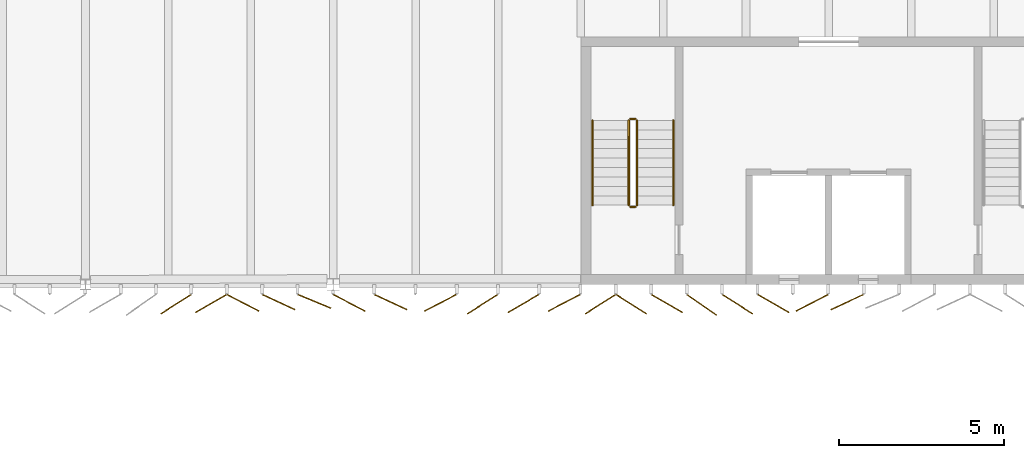
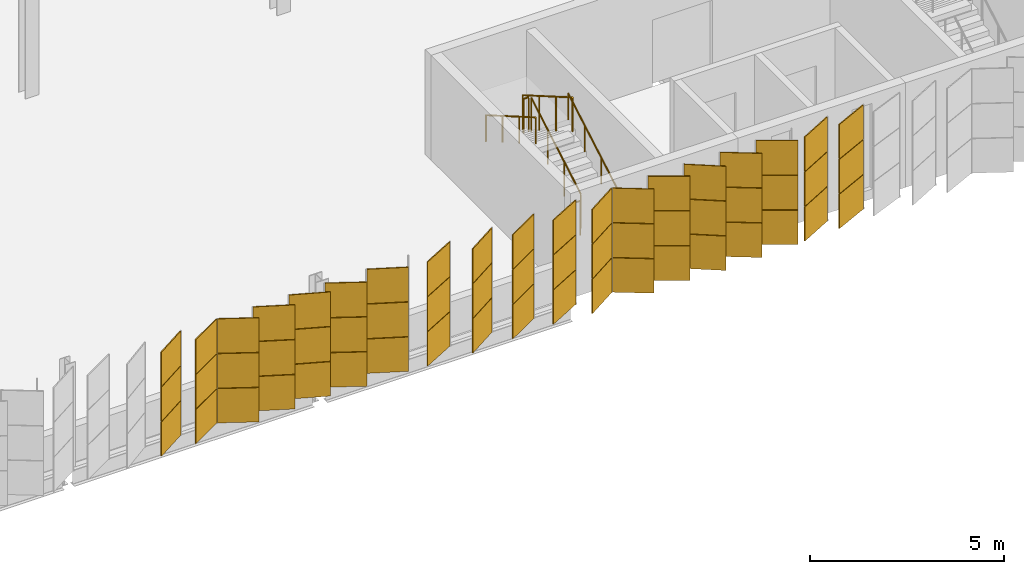
# One storey, part 200 of 214: 57 coverings, 6 railings.
"""IFC4 building model written with IfcOpenShell, lengths in metres."""

import ifcopenshell
import ifcopenshell.guid

model = None  # the IFC model being written
_history = None  # IfcOwnerHistory: only IFC2X3 demands one
_inside = {}  # id of a spatial element -> (the spatial element, [elements in it])
_under = {}  # id of a project, library or spatial element -> (it, [spatial elements below it])
_declared = {}  # id of a project -> (the project, [libraries it declares])
_typed = {}  # id of a type object -> (the type object, [elements of that type])
_made_of = {}  # id of a material, layer set ... -> (it, [elements and type objects made of it])


def new_model(schema):
    """Start an empty IFC model of exactly this schema.

    Asked for "IFC4X3", IfcOpenShell would pick the latest addendum, in which some entities
    have other attributes; the version numbers below select the first issue.
    IFC2X3 requires an IfcOwnerHistory on every rooted entity: one is made here for all.
    """
    global model, _history
    if schema == "IFC4X3":
        model = ifcopenshell.file(schema_version=(4, 3, 0, 0))
    else:
        model = ifcopenshell.file(schema=schema)
    _inside.clear()
    _under.clear()
    _declared.clear()
    _typed.clear()
    _made_of.clear()
    _history = None
    if model.schema == "IFC2X3":
        org = make("IfcOrganization", Name="unknown")
        user = make(
            "IfcPersonAndOrganization",
            ThePerson=make("IfcPerson", FamilyName="unknown"),
            TheOrganization=org,
        )
        app = make(
            "IfcApplication",
            ApplicationDeveloper=org,
            Version="unknown",
            ApplicationFullName="unknown",
            ApplicationIdentifier="unknown",
        )
        _history = make(
            "IfcOwnerHistory",
            OwningUser=user,
            OwningApplication=app,
            ChangeAction="ADDED",
            CreationDate=0,
        )
    return model


def make(cls, **values):
    """One entity of the class cls with the attributes given. An attribute that is None is left unset."""
    return model.create_entity(
        cls, **{name: value for name, value in values.items() if value is not None}
    )


def rooted(cls, **values):
    """An entity with a GlobalId (a new one), such as an element, a storey or a relation."""
    return make(cls, GlobalId=ifcopenshell.guid.new(), OwnerHistory=_history, **values)


def si_unit(unit_type, name, prefix=None):
    """IfcSIUnit, for example si_unit("LENGTHUNIT", "METRE", prefix="MILLI")."""
    return make("IfcSIUnit", UnitType=unit_type, Prefix=prefix, Name=name)


def assignment(units):
    """IfcUnitAssignment: the units of a project."""
    return None if units is None else make("IfcUnitAssignment", Units=units)


def point(xyz):
    """IfcCartesianPoint."""
    return None if xyz is None else make("IfcCartesianPoint", Coordinates=xyz)


def direction(xyz):
    """IfcDirection."""
    return None if xyz is None else make("IfcDirection", DirectionRatios=xyz)


def frame(location, z_axis=None, x_axis=None):
    """IfcAxis2Placement3D, a coordinate frame: its origin and axes. An axis left out is left unset."""
    return make(
        "IfcAxis2Placement3D",
        Location=point(location),
        Axis=direction(z_axis),
        RefDirection=direction(x_axis),
    )


def frame_2d(location, x_axis=None):
    """IfcAxis2Placement2D, a coordinate frame in the plane: its origin and x axis."""
    return make(
        "IfcAxis2Placement2D", Location=point(location), RefDirection=direction(x_axis)
    )


def origin():
    """The frame at (0, 0, 0) with its axes left unset."""
    return frame((0.0, 0.0, 0.0))


def origin_2d():
    """The frame at (0, 0) in the plane with its x axis left unset."""
    return frame_2d((0.0, 0.0))


def place(relative_to, where):
    """IfcLocalPlacement: puts the frame where relative to a parent placement (None: the world)."""
    return make(
        "IfcLocalPlacement", PlacementRelTo=relative_to, RelativePlacement=where
    )


def context(
    kind, dimensions, precision=None, world=None, true_north=None, identifier=None
):
    """IfcGeometricRepresentationContext, for example the 3D "Model" context."""
    return make(
        "IfcGeometricRepresentationContext",
        ContextIdentifier=identifier,
        ContextType=kind,
        CoordinateSpaceDimension=dimensions,
        Precision=precision,
        WorldCoordinateSystem=world,
        TrueNorth=true_north,
    )


def subcontext(parent, identifier, kind, view, scale=None):
    """IfcGeometricRepresentationSubContext, for example "Body" below "Model"."""
    return make(
        "IfcGeometricRepresentationSubContext",
        ContextIdentifier=identifier,
        ContextType=kind,
        ParentContext=parent,
        TargetScale=scale,
        TargetView=view,
    )


def project(units=None, contexts=None):
    """IfcProject with its units and contexts."""
    return rooted(
        "IfcProject",
        Name="project",
        RepresentationContexts=contexts,
        UnitsInContext=assignment(units),
    )


def spatial(cls, under=None, at=None, **own):
    """A site, building, storey or space (cls), placed at a placement, below another one or the project."""
    s = rooted(cls, ObjectPlacement=at, **own)
    if under is not None:
        _under.setdefault(under.id(), (under, []))[1].append(s)
    return s


def profile(cls, at=None, kind="AREA", **sizes):
    """A parametric profile (cls). Its sizes go by their IFC names, for example OverallWidth=200.0."""
    return make(cls, ProfileType=kind, Position=at, **sizes)


def rectangle(**sizes):
    """IfcRectangleProfileDef."""
    return profile("IfcRectangleProfileDef", **sizes)


def circle(**sizes):
    """IfcCircleProfileDef."""
    return profile("IfcCircleProfileDef", **sizes)


def extrude(swept, where, along, depth):
    """IfcExtrudedAreaSolid: the profile swept, set in the frame where, extruded along a direction by depth."""
    return make(
        "IfcExtrudedAreaSolid",
        SweptArea=swept,
        Position=where,
        ExtrudedDirection=direction(along),
        Depth=depth,
    )


def shape(context_of_items, identifier, shape_type, items):
    """IfcShapeRepresentation: the items that make up one representation, for example the "Body"."""
    return make(
        "IfcShapeRepresentation",
        ContextOfItems=context_of_items,
        RepresentationIdentifier=identifier,
        RepresentationType=shape_type,
        Items=items,
    )


def material(Name=None, Category=None):
    """IfcMaterial."""
    return make("IfcMaterial", Name=Name, Category=Category)


def layer(
    of_material, thickness, ventilated=None, Name=None, Category=None, Priority=None
):
    """IfcMaterialLayer: one layer of a wall or slab, of a material (None: an air gap)."""
    return make(
        "IfcMaterialLayer",
        Material=of_material,
        LayerThickness=thickness,
        IsVentilated=ventilated,
        Name=Name,
        Category=Category,
        Priority=Priority,
    )


def layer_set(layers, Name=None):
    """IfcMaterialLayerSet."""
    return make("IfcMaterialLayerSet", MaterialLayers=layers, LayerSetName=Name)


def made_of(thing, what):
    """Note that an element or type object is made of a material, layer set ...; save() writes the relation."""
    if what is not None:
        _made_of.setdefault(what.id(), (what, []))[1].append(thing)
    return thing


def type_object(cls, material=None, **own):
    """A type object (cls), such as IfcWallType, which elements share."""
    return made_of(rooted(cls, **own), material)


def element(
    cls,
    number,
    at=None,
    inside=None,
    cuts=None,
    type_object=None,
    material=None,
    context=None,
    identifier="Body",
    shape_type=None,
    held_by="IfcProductDefinitionShape",
    body=None,
    shapes=None,
    **own,
):
    """One element of the class cls, such as IfcWall. Its Tag is "e" and its number.

    at: its placement. inside: the storey or other place that contains it. cuts: it is an
    opening in that element (IfcRelVoidsElement). A single representation is given by context,
    identifier, shape_type and body (its items); several are given by shapes. held_by: the class
    of the entity that holds the representations. save() writes the other relations.
    """
    e = rooted(cls, Tag="e%d" % number, ObjectPlacement=at, **own)
    if body is not None:
        shapes = [shape(context, identifier, shape_type, body)]
    if shapes is not None:
        e.Representation = make(held_by, Representations=shapes)
    if inside is not None:
        _inside.setdefault(inside.id(), (inside, []))[1].append(e)
    if cuts is not None:
        rooted(
            "IfcRelVoidsElement", RelatingBuildingElement=cuts, RelatedOpeningElement=e
        )
    if type_object is not None:
        _typed.setdefault(type_object.id(), (type_object, []))[1].append(e)
    return made_of(e, material)


def aggregate(whole, parts):
    """IfcRelAggregates: a whole, such as a stair, and the parts it consists of."""
    return rooted("IfcRelAggregates", RelatingObject=whole, RelatedObjects=parts)


def save(model, path):
    """Write the relations noted so far, then the file.

    IfcRelAggregates (storeys below a building ...), IfcRelContainedInSpatialStructure (elements
    in a storey), IfcRelDefinesByType, IfcRelAssociatesMaterial and IfcRelDeclares: one each for
    every whole, place, type object, material and project.
    """
    for whole, parts in _under.values():
        aggregate(whole, parts)
    for where, things in _inside.values():
        rooted(
            "IfcRelContainedInSpatialStructure",
            RelatedElements=things,
            RelatingStructure=where,
        )
    for kind, things in _typed.values():
        rooted("IfcRelDefinesByType", RelatedObjects=things, RelatingType=kind)
    for what, things in _made_of.values():
        rooted("IfcRelAssociatesMaterial", RelatedObjects=things, RelatingMaterial=what)
    for by, libraries in _declared.values():
        rooted("IfcRelDeclares", RelatingContext=by, RelatedDefinitions=libraries)
    model.write(path)


model = new_model("IFC4")

# Units and contexts
model_context = context("Model", 3, precision=1e-05, world=origin(), true_north=direction((0.0, 1.0)))
body_context = subcontext(model_context, "Body", "Model", "MODEL_VIEW")
ifc_project = project(units=[si_unit("LENGTHUNIT", "METRE"), si_unit("AREAUNIT", "SQUARE_METRE"), si_unit("VOLUMEUNIT", "CUBIC_METRE"), si_unit("PLANEANGLEUNIT", "RADIAN"), si_unit("MASSUNIT", "GRAM", prefix="KILO")], contexts=[model_context])

# Site, building, storey
site_placement = place(None, origin())
site = spatial("IfcSite", under=ifc_project, at=site_placement, CompositionType="ELEMENT")
building_placement = place(site_placement, origin())
building = spatial("IfcBuilding", under=site, at=building_placement, Name="Parallax Yard Mobility Hub", CompositionType="ELEMENT")
storey_placement = place(building_placement, frame((0.0, 0.0, 3.300048828125)))
storey = spatial("IfcBuildingStorey", under=building, at=storey_placement, Name="L01", CompositionType="ELEMENT", Elevation=3.300048828125)

# Coverings
ifc_material_1 = material(Name="Aluminium panel, light oak finish", Category="aluminium")
ifc_layer_1 = layer(ifc_material_1, 0.030029296875)
ifc_layer_set_1 = layer_set([ifc_layer_1], Name="Skin panel 22.5 degree turn, oak finish")
covering_type_1 = type_object("IfcCoveringType", Name="Skin panel 22.5 degree turn, oak finish", PredefinedType="CLADDING", material=ifc_layer_set_1)
for number, where, z_axis, x_axis, name in (
    (1, (119.43408203125, 111.987060546875, 1.119873046875), (0.0, 0.0, 1.0), (0.923879532511, -0.382683432365, 0.0), "Skin panel 22.5 bay 11.7 row 2 level L01"),
    (2, (119.43408203125, 111.987060546875, 2.219970703125), (0.0, 0.0, 1.0), (0.923879532511, -0.382683432365, 0.0), "Skin panel 22.5 bay 11.7 row 3 level L01"),
):
    element("IfcCovering", number, at=place(storey_placement, frame(where, z_axis=z_axis, x_axis=x_axis)), inside=storey, type_object=covering_type_1, Name=name, ObjectType="SCREEN", PredefinedType="CLADDING", context=body_context, shape_type="SweptSolid", body=[
        extrude(rectangle(XDim=1.080078125, YDim=0.030029296875, at=origin_2d()), origin(), (0.0, 0.0, 1.0), 1.080078125),
    ])
ifc_material_2 = material(Name="Aluminium panel, walnut finish", Category="aluminium")
ifc_layer_2 = layer(ifc_material_2, 0.030029296875)
ifc_layer_set_2 = layer_set([ifc_layer_2], Name="Skin panel 22.5 degree turn, walnut finish")
covering_type_2 = type_object("IfcCoveringType", Name="Skin panel 22.5 degree turn, walnut finish", PredefinedType="CLADDING", material=ifc_layer_set_2)
covering_1_placement = place(storey_placement, frame((119.43408203125, 111.987060546875, 0.02001953125), z_axis=(0.0, 0.0, 1.0), x_axis=(0.923879532511, -0.382683432365, 0.0)))
element("IfcCovering", 3, at=covering_1_placement, inside=storey, type_object=covering_type_2, Name="Skin panel 22.5 bay 11.7 row 1 level L01", ObjectType="SCREEN", PredefinedType="CLADDING", context=body_context, shape_type="SweptSolid", body=[
    extrude(rectangle(XDim=1.080078125, YDim=0.030029296875, at=origin_2d()), origin(), (0.0, 0.0, 1.0), 1.080078125),
])
ifc_layer_3 = layer(ifc_material_1, 0.030029296875)
ifc_layer_set_3 = layer_set([ifc_layer_3], Name="Skin panel 25 degree turn, oak finish")
covering_type_3 = type_object("IfcCoveringType", Name="Skin panel 25 degree turn, oak finish", PredefinedType="CLADDING", material=ifc_layer_set_3)
for number, where, z_axis, x_axis, name in (
    (4, (118.352783203125, 111.96484375, 1.119873046875), (0.0, 0.0, 1.0), (0.906307787037, -0.422618261741, 0.0), "Skin panel 25 bay 11.6 row 2 level L01"),
    (5, (118.352783203125, 111.96484375, 2.219970703125), (0.0, 0.0, 1.0), (0.906307787037, -0.422618261741, 0.0), "Skin panel 25 bay 11.6 row 3 level L01"),
    (6, (121.744873046875, 111.96484375, 1.119873046875), (0.0, 0.0, 1.0), (0.906307787037, -0.422618261741, 0.0), "Skin panel 25 bay 12.2 row 2 level L01"),
    (7, (121.744873046875, 111.96484375, 2.219970703125), (0.0, 0.0, 1.0), (0.906307787037, -0.422618261741, 0.0), "Skin panel 25 bay 12.2 row 3 level L01"),
    (8, (135.560546875, 111.96484375, 1.119873046875), (0.0, 0.0, 1.0), (-0.906307787037, -0.422618261741, 0.0), "Skin panel 25 bay 13.8 row 2 level L01"),
    (9, (135.560546875, 111.96484375, 2.219970703125), (0.0, 0.0, 1.0), (-0.906307787037, -0.422618261741, 0.0), "Skin panel 25 bay 13.8 row 3 level L01"),
):
    element("IfcCovering", number, at=place(storey_placement, frame(where, z_axis=z_axis, x_axis=x_axis)), inside=storey, type_object=covering_type_3, Name=name, ObjectType="SCREEN", PredefinedType="CLADDING", context=body_context, shape_type="SweptSolid", body=[
        extrude(rectangle(XDim=1.080078125, YDim=0.030029296875, at=origin_2d()), origin(), (0.0, 0.0, 1.0), 1.080078125),
    ])
ifc_layer_4 = layer(ifc_material_2, 0.030029296875)
ifc_layer_set_4 = layer_set([ifc_layer_4], Name="Skin panel 25 degree turn, walnut finish")
covering_type_4 = type_object("IfcCoveringType", Name="Skin panel 25 degree turn, walnut finish", PredefinedType="CLADDING", material=ifc_layer_set_4)
for number, where, z_axis, x_axis, name in (
    (10, (118.352783203125, 111.96484375, 0.02001953125), (0.0, 0.0, 1.0), (0.906307787037, -0.422618261741, 0.0), "Skin panel 25 bay 11.6 row 1 level L01"),
    (11, (121.744873046875, 111.96484375, 0.02001953125), (0.0, 0.0, 1.0), (0.906307787037, -0.422618261741, 0.0), "Skin panel 25 bay 12.2 row 1 level L01"),
    (12, (135.560546875, 111.96484375, 0.02001953125), (0.0, 0.0, 1.0), (-0.906307787037, -0.422618261741, 0.0), "Skin panel 25 bay 13.8 row 1 level L01"),
):
    element("IfcCovering", number, at=place(storey_placement, frame(where, z_axis=z_axis, x_axis=x_axis)), inside=storey, type_object=covering_type_4, Name=name, ObjectType="SCREEN", PredefinedType="CLADDING", context=body_context, shape_type="SweptSolid", body=[
        extrude(rectangle(XDim=1.080078125, YDim=0.030029296875, at=origin_2d()), origin(), (0.0, 0.0, 1.0), 1.080078125),
    ])
ifc_layer_5 = layer(ifc_material_1, 0.030029296875)
ifc_layer_set_5 = layer_set([ifc_layer_5], Name="Skin panel 27.5 degree turn, oak finish")
covering_type_5 = type_object("IfcCoveringType", Name="Skin panel 27.5 degree turn, oak finish", PredefinedType="CLADDING", material=ifc_layer_set_5)
for number, where, z_axis, x_axis, name in (
    (13, (117.2705078125, 111.943115234375, 1.119873046875), (0.0, 0.0, 1.0), (0.887010833178, -0.461748613235, 0.0), "Skin panel 27.5 bay 11.5 row 2 level L01"),
    (14, (117.2705078125, 111.943115234375, 2.219970703125), (0.0, 0.0, 1.0), (0.887010833178, -0.461748613235, 0.0), "Skin panel 27.5 bay 11.5 row 3 level L01"),
    (15, (120.485107421875, 111.943115234375, 1.119873046875), (0.0, 0.0, 1.0), (0.887010833178, -0.461748613235, 0.0), "Skin panel 27.5 bay 12.1 row 2 level L01"),
    (16, (120.485107421875, 111.943115234375, 2.219970703125), (0.0, 0.0, 1.0), (0.887010833178, -0.461748613235, 0.0), "Skin panel 27.5 bay 12.1 row 3 level L01"),
    (17, (123.24560546875, 111.943115234375, 1.119873046875), (0.0, 0.0, 1.0), (-0.887010833178, -0.461748613235, 0.0), "Skin panel 27.5 bay 12.3 row 2 level L01"),
    (18, (123.24560546875, 111.943115234375, 2.219970703125), (0.0, 0.0, 1.0), (-0.887010833178, -0.461748613235, 0.0), "Skin panel 27.5 bay 12.3 row 3 level L01"),
    (19, (126.993408203125, 111.943115234375, 1.119873046875), (0.0, 0.0, 1.0), (-0.887010833178, -0.461748613235, 0.0), "Skin panel 27.5 bay 12.6 row 2 level L01"),
    (20, (126.993408203125, 111.943115234375, 2.219970703125), (0.0, 0.0, 1.0), (-0.887010833178, -0.461748613235, 0.0), "Skin panel 27.5 bay 12.6 row 3 level L01"),
    (21, (134.4990234375, 111.943115234375, 1.119873046875), (0.0, 0.0, 1.0), (-0.887010833178, -0.461748613235, 0.0), "Skin panel 27.5 bay 13.7 row 2 level L01"),
    (22, (134.4990234375, 111.943115234375, 2.219970703125), (0.0, 0.0, 1.0), (-0.887010833178, -0.461748613235, 0.0), "Skin panel 27.5 bay 13.7 row 3 level L01"),
):
    element("IfcCovering", number, at=place(storey_placement, frame(where, z_axis=z_axis, x_axis=x_axis)), inside=storey, type_object=covering_type_5, Name=name, ObjectType="SCREEN", PredefinedType="CLADDING", context=body_context, shape_type="SweptSolid", body=[
        extrude(rectangle(XDim=1.080078125, YDim=0.030029296875, at=origin_2d()), origin(), (0.0, 0.0, 1.0), 1.080078125),
    ])
ifc_layer_6 = layer(ifc_material_2, 0.030029296875)
ifc_layer_set_6 = layer_set([ifc_layer_6], Name="Skin panel 27.5 degree turn, walnut finish")
covering_type_6 = type_object("IfcCoveringType", Name="Skin panel 27.5 degree turn, walnut finish", PredefinedType="CLADDING", material=ifc_layer_set_6)
for number, where, z_axis, x_axis, name in (
    (23, (117.2705078125, 111.943115234375, 0.02001953125), (0.0, 0.0, 1.0), (0.887010833178, -0.461748613235, 0.0), "Skin panel 27.5 bay 11.5 row 1 level L01"),
    (24, (120.485107421875, 111.943115234375, 0.02001953125), (0.0, 0.0, 1.0), (0.887010833178, -0.461748613235, 0.0), "Skin panel 27.5 bay 12.1 row 1 level L01"),
    (25, (123.24560546875, 111.943115234375, 0.02001953125), (0.0, 0.0, 1.0), (-0.887010833178, -0.461748613235, 0.0), "Skin panel 27.5 bay 12.3 row 1 level L01"),
    (26, (126.993408203125, 111.943115234375, 0.02001953125), (0.0, 0.0, 1.0), (-0.887010833178, -0.461748613235, 0.0), "Skin panel 27.5 bay 12.6 row 1 level L01"),
    (27, (134.4990234375, 111.943115234375, 0.02001953125), (0.0, 0.0, 1.0), (-0.887010833178, -0.461748613235, 0.0), "Skin panel 27.5 bay 13.7 row 1 level L01"),
):
    element("IfcCovering", number, at=place(storey_placement, frame(where, z_axis=z_axis, x_axis=x_axis)), inside=storey, type_object=covering_type_6, Name=name, ObjectType="SCREEN", PredefinedType="CLADDING", context=body_context, shape_type="SweptSolid", body=[
        extrude(rectangle(XDim=1.080078125, YDim=0.030029296875, at=origin_2d()), origin(), (0.0, 0.0, 1.0), 1.080078125),
    ])
ifc_layer_7 = layer(ifc_material_1, 0.030029296875)
ifc_layer_set_7 = layer_set([ifc_layer_7], Name="Skin panel 30 degree turn, oak finish")
covering_type_7 = type_object("IfcCoveringType", Name="Skin panel 30 degree turn, oak finish", PredefinedType="CLADDING", material=ifc_layer_set_7)
for number, where, z_axis, x_axis, name in (
    (28, (116.295166015625, 111.921875, 1.119873046875), (0.0, 0.0, 1.0), (-0.866025403784, -0.5, 0.0), "Skin panel 30 bay 11.4 row 2 level L01"),
    (29, (116.295166015625, 111.921875, 2.219970703125), (0.0, 0.0, 1.0), (-0.866025403784, -0.5, 0.0), "Skin panel 30 bay 11.4 row 3 level L01"),
    (30, (125.755859375, 111.921875, 1.119873046875), (0.0, 0.0, 1.0), (-0.866025403784, -0.5, 0.0), "Skin panel 30 bay 12.5 row 2 level L01"),
    (31, (125.755859375, 111.921875, 2.219970703125), (0.0, 0.0, 1.0), (-0.866025403784, -0.5, 0.0), "Skin panel 30 bay 12.5 row 3 level L01"),
    (32, (130.11328125, 111.921875, 1.119873046875), (0.0, 0.0, 1.0), (0.866025403784, -0.5, 0.0), "Skin panel 30 bay 13.3 row 2 level L01"),
    (33, (130.11328125, 111.921875, 2.219970703125), (0.0, 0.0, 1.0), (0.866025403784, -0.5, 0.0), "Skin panel 30 bay 13.3 row 3 level L01"),
    (34, (133.329833984375, 111.921875, 1.119873046875), (0.0, 0.0, 1.0), (0.866025403784, -0.5, 0.0), "Skin panel 30 bay 13.6 row 2 level L01"),
    (35, (133.329833984375, 111.921875, 2.219970703125), (0.0, 0.0, 1.0), (0.866025403784, -0.5, 0.0), "Skin panel 30 bay 13.6 row 3 level L01"),
):
    element("IfcCovering", number, at=place(storey_placement, frame(where, z_axis=z_axis, x_axis=x_axis)), inside=storey, type_object=covering_type_7, Name=name, ObjectType="SCREEN", PredefinedType="CLADDING", context=body_context, shape_type="SweptSolid", body=[
        extrude(rectangle(XDim=1.080078125, YDim=0.030029296875, at=origin_2d()), origin(), (0.0, 0.0, 1.0), 1.080078125),
    ])
ifc_layer_8 = layer(ifc_material_2, 0.030029296875)
ifc_layer_set_8 = layer_set([ifc_layer_8], Name="Skin panel 30 degree turn, walnut finish")
covering_type_8 = type_object("IfcCoveringType", Name="Skin panel 30 degree turn, walnut finish", PredefinedType="CLADDING", material=ifc_layer_set_8)
for number, where, z_axis, x_axis, name in (
    (36, (116.295166015625, 111.921875, 0.02001953125), (0.0, 0.0, 1.0), (-0.866025403784, -0.5, 0.0), "Skin panel 30 bay 11.4 row 1 level L01"),
    (37, (125.755859375, 111.921875, 0.02001953125), (0.0, 0.0, 1.0), (-0.866025403784, -0.5, 0.0), "Skin panel 30 bay 12.5 row 1 level L01"),
    (38, (130.11328125, 111.921875, 0.02001953125), (0.0, 0.0, 1.0), (0.866025403784, -0.5, 0.0), "Skin panel 30 bay 13.3 row 1 level L01"),
    (39, (133.329833984375, 111.921875, 0.02001953125), (0.0, 0.0, 1.0), (0.866025403784, -0.5, 0.0), "Skin panel 30 bay 13.6 row 1 level L01"),
):
    element("IfcCovering", number, at=place(storey_placement, frame(where, z_axis=z_axis, x_axis=x_axis)), inside=storey, type_object=covering_type_8, Name=name, ObjectType="SCREEN", PredefinedType="CLADDING", context=body_context, shape_type="SweptSolid", body=[
        extrude(rectangle(XDim=1.080078125, YDim=0.030029296875, at=origin_2d()), origin(), (0.0, 0.0, 1.0), 1.080078125),
    ])
ifc_layer_9 = layer(ifc_material_1, 0.030029296875)
ifc_layer_set_9 = layer_set([ifc_layer_9], Name="Skin panel 32.5 degree turn, oak finish")
covering_type_9 = type_object("IfcCoveringType", Name="Skin panel 32.5 degree turn, oak finish", PredefinedType="CLADDING", material=ifc_layer_set_9)
for number, where, z_axis, x_axis, name in (
    (40, (115.236083984375, 111.901123046875, 1.119873046875), (0.0, 0.0, 1.0), (-0.843391445813, -0.537299608347, 0.0), "Skin panel 32.5 bay 11.3 row 2 level L01"),
    (41, (115.236083984375, 111.901123046875, 2.219970703125), (0.0, 0.0, 1.0), (-0.843391445813, -0.537299608347, 0.0), "Skin panel 32.5 bay 11.3 row 3 level L01"),
    (42, (124.519287109375, 111.901123046875, 1.119873046875), (0.0, 0.0, 1.0), (-0.843391445813, -0.537299608347, 0.0), "Skin panel 32.5 bay 12.4 row 2 level L01"),
    (43, (124.519287109375, 111.901123046875, 2.219970703125), (0.0, 0.0, 1.0), (-0.843391445813, -0.537299608347, 0.0), "Skin panel 32.5 bay 12.4 row 3 level L01"),
    (44, (128.090087890625, 111.901123046875, 1.119873046875), (0.0, 0.0, 1.0), (-0.843391445813, -0.537299608347, 0.0), "Skin panel 32.5 bay 13.1 row 2 level L01"),
    (45, (128.090087890625, 111.901123046875, 2.219970703125), (0.0, 0.0, 1.0), (-0.843391445813, -0.537299608347, 0.0), "Skin panel 32.5 bay 13.1 row 3 level L01"),
    (46, (129.0283203125, 111.901123046875, 1.119873046875), (0.0, 0.0, 1.0), (0.843391445813, -0.537299608347, 0.0), "Skin panel 32.5 bay 13.2 row 2 level L01"),
    (47, (129.0283203125, 111.901123046875, 2.219970703125), (0.0, 0.0, 1.0), (0.843391445813, -0.537299608347, 0.0), "Skin panel 32.5 bay 13.2 row 3 level L01"),
    (48, (132.2451171875, 111.901123046875, 1.119873046875), (0.0, 0.0, 1.0), (0.843391445813, -0.537299608347, 0.0), "Skin panel 32.5 bay 13.5 row 2 level L01"),
    (49, (132.2451171875, 111.901123046875, 2.219970703125), (0.0, 0.0, 1.0), (0.843391445813, -0.537299608347, 0.0), "Skin panel 32.5 bay 13.5 row 3 level L01"),
):
    element("IfcCovering", number, at=place(storey_placement, frame(where, z_axis=z_axis, x_axis=x_axis)), inside=storey, type_object=covering_type_9, Name=name, ObjectType="SCREEN", PredefinedType="CLADDING", context=body_context, shape_type="SweptSolid", body=[
        extrude(rectangle(XDim=1.080078125, YDim=0.030029296875, at=origin_2d()), origin(), (0.0, 0.0, 1.0), 1.080078125),
    ])
ifc_layer_10 = layer(ifc_material_2, 0.030029296875)
ifc_layer_set_10 = layer_set([ifc_layer_10], Name="Skin panel 32.5 degree turn, walnut finish")
covering_type_10 = type_object("IfcCoveringType", Name="Skin panel 32.5 degree turn, walnut finish", PredefinedType="CLADDING", material=ifc_layer_set_10)
for number, where, z_axis, x_axis, name in (
    (50, (115.236083984375, 111.901123046875, 0.02001953125), (0.0, 0.0, 1.0), (-0.843391445813, -0.537299608347, 0.0), "Skin panel 32.5 bay 11.3 row 1 level L01"),
    (51, (124.519287109375, 111.901123046875, 0.02001953125), (0.0, 0.0, 1.0), (-0.843391445813, -0.537299608347, 0.0), "Skin panel 32.5 bay 12.4 row 1 level L01"),
    (52, (128.090087890625, 111.901123046875, 0.02001953125), (0.0, 0.0, 1.0), (-0.843391445813, -0.537299608347, 0.0), "Skin panel 32.5 bay 13.1 row 1 level L01"),
    (53, (129.0283203125, 111.901123046875, 0.02001953125), (0.0, 0.0, 1.0), (0.843391445813, -0.537299608347, 0.0), "Skin panel 32.5 bay 13.2 row 1 level L01"),
    (54, (132.2451171875, 111.901123046875, 0.02001953125), (0.0, 0.0, 1.0), (0.843391445813, -0.537299608347, 0.0), "Skin panel 32.5 bay 13.5 row 1 level L01"),
):
    element("IfcCovering", number, at=place(storey_placement, frame(where, z_axis=z_axis, x_axis=x_axis)), inside=storey, type_object=covering_type_10, Name=name, ObjectType="SCREEN", PredefinedType="CLADDING", context=body_context, shape_type="SweptSolid", body=[
        extrude(rectangle(XDim=1.080078125, YDim=0.030029296875, at=origin_2d()), origin(), (0.0, 0.0, 1.0), 1.080078125),
    ])
ifc_layer_11 = layer(ifc_material_1, 0.030029296875)
ifc_layer_set_11 = layer_set([ifc_layer_11], Name="Skin panel 35 degree turn, oak finish")
covering_type_11 = type_object("IfcCoveringType", Name="Skin panel 35 degree turn, oak finish", PredefinedType="CLADDING", material=ifc_layer_set_11)
for number, where, z_axis, x_axis, name in (
    (55, (131.159423828125, 111.880859375, 1.119873046875), (0.0, 0.0, 1.0), (0.819152044289, -0.573576436351, 0.0), "Skin panel 35 bay 13.4 row 2 level L01"),
    (56, (131.159423828125, 111.880859375, 2.219970703125), (0.0, 0.0, 1.0), (0.819152044289, -0.573576436351, 0.0), "Skin panel 35 bay 13.4 row 3 level L01"),
):
    element("IfcCovering", number, at=place(storey_placement, frame(where, z_axis=z_axis, x_axis=x_axis)), inside=storey, type_object=covering_type_11, Name=name, ObjectType="SCREEN", PredefinedType="CLADDING", context=body_context, shape_type="SweptSolid", body=[
        extrude(rectangle(XDim=1.080078125, YDim=0.030029296875, at=origin_2d()), origin(), (0.0, 0.0, 1.0), 1.080078125),
    ])
ifc_layer_12 = layer(ifc_material_2, 0.030029296875)
ifc_layer_set_12 = layer_set([ifc_layer_12], Name="Skin panel 35 degree turn, walnut finish")
covering_type_12 = type_object("IfcCoveringType", Name="Skin panel 35 degree turn, walnut finish", PredefinedType="CLADDING", material=ifc_layer_set_12)
covering_2_placement = place(storey_placement, frame((131.159423828125, 111.880859375, 0.02001953125), z_axis=(0.0, 0.0, 1.0), x_axis=(0.819152044289, -0.573576436351, 0.0)))
element("IfcCovering", 57, at=covering_2_placement, inside=storey, type_object=covering_type_12, Name="Skin panel 35 bay 13.4 row 1 level L01", ObjectType="SCREEN", PredefinedType="CLADDING", context=body_context, shape_type="SweptSolid", body=[
    extrude(rectangle(XDim=1.080078125, YDim=0.030029296875, at=origin_2d()), origin(), (0.0, 0.0, 1.0), 1.080078125),
])

# Railings
ifc_material_3 = material(Name="Steel ASTM A36", Category="steel")
railing_type_1 = type_object("IfcRailingType", Name="Stair guard 1100", PredefinedType="GUARDRAIL", material=ifc_material_3)
railing_1_placement = place(storey_placement, frame((129.199951171875, 114.89990234375, 0.1650390625)))
element("IfcRailing", 58, at=railing_1_placement, inside=storey, type_object=railing_type_1, Name="L01 ST6 stair guard 1", PredefinedType="GUARDRAIL", context=body_context, shape_type="SweptSolid", body=[
    extrude(circle(Radius=0.02392578125, at=origin_2d()), frame((0.0, 0.0, 1.076171875), z_axis=(0.0, 0.865461999751, 0.500974577186), x_axis=(-1.0, 0.0, 0.0)), (0.0, 0.0, 1.0), 2.9638671875),
    extrude(circle(Radius=0.02099609375, at=origin_2d()), origin(), (0.0, 0.0, 1.0), 1.052001953125),
    extrude(circle(Radius=0.02099609375, at=origin_2d()), frame((0.0, 0.85498046875, 0.494873046875)), (0.0, 0.0, 1.0), 1.052001953125),
    extrude(circle(Radius=0.02099609375, at=origin_2d()), frame((0.0, 1.710205078125, 0.989990234375)), (0.0, 0.0, 1.0), 1.052001953125),
    extrude(circle(Radius=0.02099609375, at=origin_2d()), frame((0.0, 2.565185546875, 1.48486328125)), (0.0, 0.0, 1.0), 1.052001953125),
])
railing_2_placement = place(storey_placement, frame((129.14990234375, 117.514892578125, 1.64990234375)))
element("IfcRailing", 59, at=railing_2_placement, inside=storey, type_object=railing_type_1, Name="L01 ST6 stair guard 2", PredefinedType="GUARDRAIL", context=body_context, shape_type="SweptSolid", body=[
    extrude(circle(Radius=0.02392578125, at=origin_2d()), frame((0.0, 0.0, 1.076171875), z_axis=(-1.0, 0.0, 0.0), x_axis=(0.0, -1.0, 0.0)), (0.0, 0.0, 1.0), 0.14990234375),
    extrude(circle(Radius=0.02099609375, at=origin_2d()), origin(), (0.0, 0.0, 1.0), 1.052001953125),
    extrude(circle(Radius=0.02099609375, at=origin_2d()), frame((-0.14990234375, 0.0, 0.0)), (0.0, 0.0, 1.0), 1.052001953125),
])
railing_3_placement = place(storey_placement, frame((128.949951171875, 117.465087890625, 1.81494140625)))
element("IfcRailing", 60, at=railing_3_placement, inside=storey, type_object=railing_type_1, Name="L01 ST6 stair guard 3", PredefinedType="GUARDRAIL", context=body_context, shape_type="SweptSolid", body=[
    extrude(circle(Radius=0.02392578125, at=origin_2d()), frame((0.0, 0.0, 1.076171875), z_axis=(0.0, -0.865426285481, 0.501036270542), x_axis=(1.0, 0.0, 0.0)), (0.0, 0.0, 1.0), 2.964111328125),
    extrude(circle(Radius=0.02099609375, at=origin_2d()), origin(), (0.0, 0.0, 1.0), 1.052001953125),
    extrude(circle(Radius=0.02099609375, at=origin_2d()), frame((0.0, -0.85498046875, 0.4951171875)), (0.0, 0.0, 1.0), 1.052001953125),
    extrude(circle(Radius=0.02099609375, at=origin_2d()), frame((0.0, -1.710205078125, 0.989990234375)), (0.0, 0.0, 1.0), 1.052001953125),
    extrude(circle(Radius=0.02099609375, at=origin_2d()), frame((0.0, -2.565185546875, 1.485107421875)), (0.0, 0.0, 1.0), 1.052001953125),
])
railing_4_placement = place(storey_placement, frame((129.14990234375, 114.85009765625, 0.0)))
element("IfcRailing", 61, at=railing_4_placement, inside=storey, type_object=railing_type_1, Name="L01 ST6 stair guard 4", PredefinedType="GUARDRAIL", context=body_context, shape_type="SweptSolid", body=[
    extrude(circle(Radius=0.02392578125, at=origin_2d()), frame((0.0, 0.0, 1.076171875), z_axis=(-1.0, 0.0, 0.0), x_axis=(0.0, -1.0, 0.0)), (0.0, 0.0, 1.0), 0.14990234375),
    extrude(circle(Radius=0.02099609375, at=origin_2d()), origin(), (0.0, 0.0, 1.0), 1.052001953125),
    extrude(circle(Radius=0.02099609375, at=origin_2d()), frame((-0.14990234375, 0.0, 0.0)), (0.0, 0.0, 1.0), 1.052001953125),
])
railing_type_2 = type_object("IfcRailingType", Name="Stair handrail", PredefinedType="HANDRAIL", material=ifc_material_3)
railing_5_placement = place(storey_placement, frame((130.300048828125, 114.89990234375, 0.1650390625)))
element("IfcRailing", 62, at=railing_5_placement, inside=storey, type_object=railing_type_2, Name="L01 ST6 stair handrail 1", PredefinedType="HANDRAIL", context=body_context, shape_type="SweptSolid", body=[
    extrude(circle(Radius=0.02392578125, at=origin_2d()), frame((0.0, 0.0, 0.8310546875), z_axis=(0.0, 0.865461999751, 0.500974577186), x_axis=(-1.0, 0.0, 0.0)), (0.0, 0.0, 1.0), 2.9638671875),
    extrude(circle(Radius=0.02099609375, at=origin_2d()), origin(), (0.0, 0.0, 1.0), 0.806884765625),
    extrude(circle(Radius=0.02099609375, at=origin_2d()), frame((0.0, 0.85498046875, 0.494873046875)), (0.0, 0.0, 1.0), 0.806884765625),
    extrude(circle(Radius=0.02099609375, at=origin_2d()), frame((0.0, 1.710205078125, 0.989990234375)), (0.0, 0.0, 1.0), 0.806884765625),
    extrude(circle(Radius=0.02099609375, at=origin_2d()), frame((0.0, 2.565185546875, 1.48486328125)), (0.0, 0.0, 1.0), 0.806884765625),
])
railing_6_placement = place(storey_placement, frame((127.85009765625, 117.465087890625, 1.81494140625)))
element("IfcRailing", 63, at=railing_6_placement, inside=storey, type_object=railing_type_2, Name="L01 ST6 stair handrail 2", PredefinedType="HANDRAIL", context=body_context, shape_type="SweptSolid", body=[
    extrude(circle(Radius=0.02392578125, at=origin_2d()), frame((0.0, 0.0, 0.8310546875), z_axis=(0.0, -0.865426285481, 0.501036270542), x_axis=(1.0, 0.0, 0.0)), (0.0, 0.0, 1.0), 2.964111328125),
    extrude(circle(Radius=0.02099609375, at=origin_2d()), origin(), (0.0, 0.0, 1.0), 0.806884765625),
    extrude(circle(Radius=0.02099609375, at=origin_2d()), frame((0.0, -0.85498046875, 0.4951171875)), (0.0, 0.0, 1.0), 0.806884765625),
    extrude(circle(Radius=0.02099609375, at=origin_2d()), frame((0.0, -1.710205078125, 0.989990234375)), (0.0, 0.0, 1.0), 0.806884765625),
    extrude(circle(Radius=0.02099609375, at=origin_2d()), frame((0.0, -2.565185546875, 1.485107421875)), (0.0, 0.0, 1.0), 0.806884765625),
])

save(model, "model.ifc")
